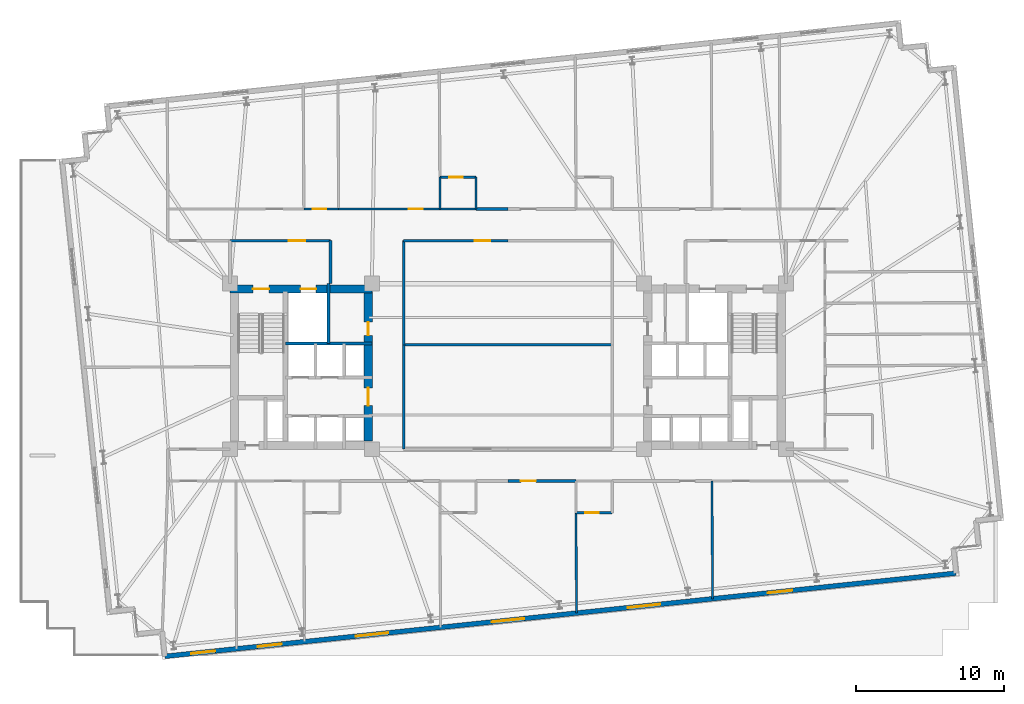
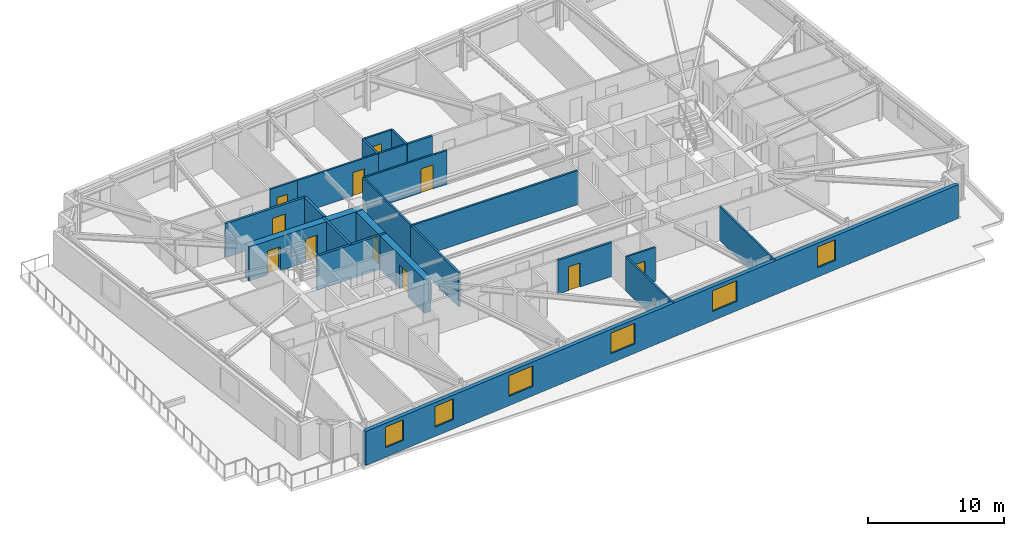
# One storey, part 13 of 20: 22 walls, 11 doors, 6 windows, 17 openings.
"""IFC4 building model written with IfcOpenShell, lengths in metres."""

import ifcopenshell
import ifcopenshell.guid

model = None  # the IFC model being written
_history = None  # IfcOwnerHistory: only IFC2X3 demands one
_inside = {}  # id of a spatial element -> (the spatial element, [elements in it])
_under = {}  # id of a project, library or spatial element -> (it, [spatial elements below it])
_declared = {}  # id of a project -> (the project, [libraries it declares])
_typed = {}  # id of a type object -> (the type object, [elements of that type])
_made_of = {}  # id of a material, layer set ... -> (it, [elements and type objects made of it])


def new_model(schema):
    """Start an empty IFC model of exactly this schema.

    Asked for "IFC4X3", IfcOpenShell would pick the latest addendum, in which some entities
    have other attributes; the version numbers below select the first issue.
    IFC2X3 requires an IfcOwnerHistory on every rooted entity: one is made here for all.
    """
    global model, _history
    if schema == "IFC4X3":
        model = ifcopenshell.file(schema_version=(4, 3, 0, 0))
    else:
        model = ifcopenshell.file(schema=schema)
    _inside.clear()
    _under.clear()
    _declared.clear()
    _typed.clear()
    _made_of.clear()
    _history = None
    if model.schema == "IFC2X3":
        org = make("IfcOrganization", Name="unknown")
        user = make(
            "IfcPersonAndOrganization",
            ThePerson=make("IfcPerson", FamilyName="unknown"),
            TheOrganization=org,
        )
        app = make(
            "IfcApplication",
            ApplicationDeveloper=org,
            Version="unknown",
            ApplicationFullName="unknown",
            ApplicationIdentifier="unknown",
        )
        _history = make(
            "IfcOwnerHistory",
            OwningUser=user,
            OwningApplication=app,
            ChangeAction="ADDED",
            CreationDate=0,
        )
    return model


def make(cls, **values):
    """One entity of the class cls with the attributes given. An attribute that is None is left unset."""
    return model.create_entity(
        cls, **{name: value for name, value in values.items() if value is not None}
    )


def rooted(cls, **values):
    """An entity with a GlobalId (a new one), such as an element, a storey or a relation."""
    return make(cls, GlobalId=ifcopenshell.guid.new(), OwnerHistory=_history, **values)


def si_unit(unit_type, name, prefix=None):
    """IfcSIUnit, for example si_unit("LENGTHUNIT", "METRE", prefix="MILLI")."""
    return make("IfcSIUnit", UnitType=unit_type, Prefix=prefix, Name=name)


def assignment(units):
    """IfcUnitAssignment: the units of a project."""
    return None if units is None else make("IfcUnitAssignment", Units=units)


def point(xyz):
    """IfcCartesianPoint."""
    return None if xyz is None else make("IfcCartesianPoint", Coordinates=xyz)


def direction(xyz):
    """IfcDirection."""
    return None if xyz is None else make("IfcDirection", DirectionRatios=xyz)


def frame(location, z_axis=None, x_axis=None):
    """IfcAxis2Placement3D, a coordinate frame: its origin and axes. An axis left out is left unset."""
    return make(
        "IfcAxis2Placement3D",
        Location=point(location),
        Axis=direction(z_axis),
        RefDirection=direction(x_axis),
    )


def frame_2d(location, x_axis=None):
    """IfcAxis2Placement2D, a coordinate frame in the plane: its origin and x axis."""
    return make(
        "IfcAxis2Placement2D", Location=point(location), RefDirection=direction(x_axis)
    )


def origin():
    """The frame at (0, 0, 0) with its axes left unset."""
    return frame((0.0, 0.0, 0.0))


def place(relative_to, where):
    """IfcLocalPlacement: puts the frame where relative to a parent placement (None: the world)."""
    return make(
        "IfcLocalPlacement", PlacementRelTo=relative_to, RelativePlacement=where
    )


def context(
    kind, dimensions, precision=None, world=None, true_north=None, identifier=None
):
    """IfcGeometricRepresentationContext, for example the 3D "Model" context."""
    return make(
        "IfcGeometricRepresentationContext",
        ContextIdentifier=identifier,
        ContextType=kind,
        CoordinateSpaceDimension=dimensions,
        Precision=precision,
        WorldCoordinateSystem=world,
        TrueNorth=true_north,
    )


def subcontext(parent, identifier, kind, view, scale=None):
    """IfcGeometricRepresentationSubContext, for example "Body" below "Model"."""
    return make(
        "IfcGeometricRepresentationSubContext",
        ContextIdentifier=identifier,
        ContextType=kind,
        ParentContext=parent,
        TargetScale=scale,
        TargetView=view,
    )


def project(units=None, contexts=None):
    """IfcProject with its units and contexts."""
    return rooted(
        "IfcProject",
        Name="project",
        RepresentationContexts=contexts,
        UnitsInContext=assignment(units),
    )


def spatial(cls, under=None, at=None, **own):
    """A site, building, storey or space (cls), placed at a placement, below another one or the project."""
    s = rooted(cls, ObjectPlacement=at, **own)
    if under is not None:
        _under.setdefault(under.id(), (under, []))[1].append(s)
    return s


def profile(cls, at=None, kind="AREA", **sizes):
    """A parametric profile (cls). Its sizes go by their IFC names, for example OverallWidth=200.0."""
    return make(cls, ProfileType=kind, Position=at, **sizes)


def rectangle(**sizes):
    """IfcRectangleProfileDef."""
    return profile("IfcRectangleProfileDef", **sizes)


def extrude(swept, where, along, depth):
    """IfcExtrudedAreaSolid: the profile swept, set in the frame where, extruded along a direction by depth."""
    return make(
        "IfcExtrudedAreaSolid",
        SweptArea=swept,
        Position=where,
        ExtrudedDirection=direction(along),
        Depth=depth,
    )


def shape(context_of_items, identifier, shape_type, items):
    """IfcShapeRepresentation: the items that make up one representation, for example the "Body"."""
    return make(
        "IfcShapeRepresentation",
        ContextOfItems=context_of_items,
        RepresentationIdentifier=identifier,
        RepresentationType=shape_type,
        Items=items,
    )


def material(Name=None, Category=None):
    """IfcMaterial."""
    return make("IfcMaterial", Name=Name, Category=Category)


def layer(
    of_material, thickness, ventilated=None, Name=None, Category=None, Priority=None
):
    """IfcMaterialLayer: one layer of a wall or slab, of a material (None: an air gap)."""
    return make(
        "IfcMaterialLayer",
        Material=of_material,
        LayerThickness=thickness,
        IsVentilated=ventilated,
        Name=Name,
        Category=Category,
        Priority=Priority,
    )


def layer_set(layers, Name=None):
    """IfcMaterialLayerSet."""
    return make("IfcMaterialLayerSet", MaterialLayers=layers, LayerSetName=Name)


def made_of(thing, what):
    """Note that an element or type object is made of a material, layer set ...; save() writes the relation."""
    if what is not None:
        _made_of.setdefault(what.id(), (what, []))[1].append(thing)
    return thing


def type_object(cls, material=None, **own):
    """A type object (cls), such as IfcWallType, which elements share."""
    return made_of(rooted(cls, **own), material)


def element(
    cls,
    number,
    at=None,
    inside=None,
    cuts=None,
    type_object=None,
    material=None,
    context=None,
    identifier="Body",
    shape_type=None,
    held_by="IfcProductDefinitionShape",
    body=None,
    shapes=None,
    **own,
):
    """One element of the class cls, such as IfcWall. Its Tag is "e" and its number.

    at: its placement. inside: the storey or other place that contains it. cuts: it is an
    opening in that element (IfcRelVoidsElement). A single representation is given by context,
    identifier, shape_type and body (its items); several are given by shapes. held_by: the class
    of the entity that holds the representations. save() writes the other relations.
    """
    e = rooted(cls, Tag="e%d" % number, ObjectPlacement=at, **own)
    if body is not None:
        shapes = [shape(context, identifier, shape_type, body)]
    if shapes is not None:
        e.Representation = make(held_by, Representations=shapes)
    if inside is not None:
        _inside.setdefault(inside.id(), (inside, []))[1].append(e)
    if cuts is not None:
        rooted(
            "IfcRelVoidsElement", RelatingBuildingElement=cuts, RelatedOpeningElement=e
        )
    if type_object is not None:
        _typed.setdefault(type_object.id(), (type_object, []))[1].append(e)
    return made_of(e, material)


def fill(opening, filler):
    """IfcRelFillsElement: the door or window that sits in an opening."""
    return rooted(
        "IfcRelFillsElement",
        RelatingOpeningElement=opening,
        RelatedBuildingElement=filler,
    )


def aggregate(whole, parts):
    """IfcRelAggregates: a whole, such as a stair, and the parts it consists of."""
    return rooted("IfcRelAggregates", RelatingObject=whole, RelatedObjects=parts)


def save(model, path):
    """Write the relations noted so far, then the file.

    IfcRelAggregates (storeys below a building ...), IfcRelContainedInSpatialStructure (elements
    in a storey), IfcRelDefinesByType, IfcRelAssociatesMaterial and IfcRelDeclares: one each for
    every whole, place, type object, material and project.
    """
    for whole, parts in _under.values():
        aggregate(whole, parts)
    for where, things in _inside.values():
        rooted(
            "IfcRelContainedInSpatialStructure",
            RelatedElements=things,
            RelatingStructure=where,
        )
    for kind, things in _typed.values():
        rooted("IfcRelDefinesByType", RelatedObjects=things, RelatingType=kind)
    for what, things in _made_of.values():
        rooted("IfcRelAssociatesMaterial", RelatedObjects=things, RelatingMaterial=what)
    for by, libraries in _declared.values():
        rooted("IfcRelDeclares", RelatingContext=by, RelatedDefinitions=libraries)
    model.write(path)


model = new_model("IFC4")

# Units and contexts
model_context = context("Model", 3, precision=1e-05, world=origin(), true_north=direction((0.0, 1.0)))
body_context = subcontext(model_context, "Body", "Model", "MODEL_VIEW")
ifc_project = project(units=[si_unit("LENGTHUNIT", "METRE"), si_unit("AREAUNIT", "SQUARE_METRE"), si_unit("VOLUMEUNIT", "CUBIC_METRE"), si_unit("PLANEANGLEUNIT", "RADIAN"), si_unit("MASSUNIT", "GRAM", prefix="KILO")], contexts=[model_context])

# Site, building, storey
site_placement = place(None, origin())
site = spatial("IfcSite", under=ifc_project, at=site_placement, CompositionType="ELEMENT")
building_placement = place(site_placement, origin())
building = spatial("IfcBuilding", under=site, at=building_placement, Name="Qobustan Lattice House", CompositionType="ELEMENT")
storey_placement = place(building_placement, frame((0.0, 0.0, 79.0)))
storey = spatial("IfcBuildingStorey", under=building, at=storey_placement, Name="L21", CompositionType="ELEMENT", Elevation=79.0)

# Wall, openings, doors
ifc_material_1 = material(Name="Concrete C60/75", Category="concrete")
ifc_layer_1 = layer(ifc_material_1, 0.56005859375)
ifc_layer_set_1 = layer_set([ifc_layer_1], Name="Concrete C60/75")
wall_type_1 = type_object("IfcWallType", Name="WAL-CORE-600", PredefinedType="SHEAR", material=ifc_layer_set_1)
wall_1_placement = place(storey_placement, frame((-18.800048828125, 5.239990234375, 0.0), z_axis=(0.0, 0.0, 1.0), x_axis=(1.0, 0.0, 0.0)))
wall_1 = element("IfcWall", 1, at=wall_1_placement, inside=storey, type_object=wall_type_1, Name="L21 split-core shear wall CW-N", PredefinedType="SHEAR", context=body_context, shape_type="SweptSolid", body=[
    extrude(rectangle(XDim=9.60009765625, YDim=0.56005859375, at=frame_2d((4.800048828125, 0.0))), origin(), (0.0, 0.0, 1.0), 3.044921875),
])
opening_1_placement = place(wall_1_placement, frame((1.550048828125, 0.0, 0.0)))
opening_1 = element("IfcOpeningElement", 2, at=opening_1_placement, cuts=wall_1, Name="Opening SD-01", PredefinedType="OPENING", context=body_context, shape_type="SweptSolid", body=[
    extrude(rectangle(XDim=1.10009765625, YDim=2.14990234375, at=frame_2d((0.550048828125, 1.074951171875))), frame((0.0, 0.2900390625, 0.0), z_axis=(0.0, -1.0, 0.0), x_axis=(1.0, 0.0, 0.0)), (0.0, 0.0, 1.0), 0.580078125),
])
opening_2_placement = place(wall_1_placement, frame((4.77490234375, 0.0, 0.0)))
opening_2 = element("IfcOpeningElement", 3, at=opening_2_placement, cuts=wall_1, Name="Opening LD-01", PredefinedType="OPENING", context=body_context, shape_type="SweptSolid", body=[
    extrude(rectangle(XDim=1.050048828125, YDim=2.10009765625, at=frame_2d((0.52490234375, 1.050048828125))), frame((0.0, 0.2900390625, 0.0), z_axis=(0.0, -1.0, 0.0), x_axis=(1.0, 0.0, 0.0)), (0.0, 0.0, 1.0), 0.580078125),
])
ifc_material_2 = material(Name="Persian walnut timber and steel frame door", Category="steel")
door_type_1 = type_object("IfcDoorType", Name="DOR-LIFT-LD-1050x2100", OperationType="NOTDEFINED", PredefinedType="DOOR", material=ifc_material_2)
door_1_placement = place(opening_2_placement, origin())
door_1 = element("IfcDoor", 4, at=door_1_placement, inside=storey, type_object=door_type_1, Name="L21 firefighting lift FF-W landing door", OperationType="DOUBLE_DOOR_SLIDING", OverallHeight=2.10009765625, OverallWidth=1.050048828125, PredefinedType="DOOR", context=body_context, shape_type="SweptSolid", body=[
    extrude(rectangle(XDim=1.050048828125, YDim=2.10009765625, at=frame_2d((0.52490234375, 1.050048828125))), frame((0.0, 0.02490234375, 0.0), z_axis=(0.0, -1.0, 0.0), x_axis=(1.0, 0.0, 0.0)), (0.0, 0.0, 1.0), 0.050048828125),
])
fill(opening_2, door_1)
ifc_material_3 = material(Name="Persian walnut timber and steel frame door", Category="steel")
door_type_2 = type_object("IfcDoorType", Name="DOR-STAIR-FD-1100x2150", OperationType="NOTDEFINED", PredefinedType="DOOR", material=ifc_material_3)
door_2_placement = place(opening_1_placement, origin())
door_2 = element("IfcDoor", 5, at=door_2_placement, inside=storey, type_object=door_type_2, Name="L21 exit stair ST-W1 fire door", OperationType="SINGLE_SWING_LEFT", OverallHeight=2.14990234375, OverallWidth=1.10009765625, PredefinedType="DOOR", context=body_context, shape_type="SweptSolid", body=[
    extrude(rectangle(XDim=1.10009765625, YDim=2.14990234375, at=frame_2d((0.550048828125, 1.074951171875))), frame((0.0, 0.02490234375, 0.0), z_axis=(0.0, -1.0, 0.0), x_axis=(1.0, 0.0, 0.0)), (0.0, 0.0, 1.0), 0.050048828125),
])
fill(opening_1, door_2)

wall_2_placement = place(storey_placement, frame((-9.449951171875, -5.050048828125, 0.0), z_axis=(0.0, 0.0, 1.0), x_axis=(0.0, 1.0, 0.0)))
wall_2 = element("IfcWall", 6, at=wall_2_placement, inside=storey, type_object=wall_type_1, Name="L21 split-core shear wall CW-E", PredefinedType="SHEAR", context=body_context, shape_type="SweptSolid", body=[
    extrude(rectangle(XDim=10.10009765625, YDim=0.56005859375, at=frame_2d((5.050048828125, 0.0))), origin(), (0.0, 0.0, 1.0), 3.044921875),
])
opening_3_placement = place(wall_2_placement, frame((7.14990234375, 0.0, 0.0)))
opening_3 = element("IfcOpeningElement", 7, at=opening_3_placement, cuts=wall_2, Name="Opening RD-01", PredefinedType="OPENING", context=body_context, shape_type="SweptSolid", body=[
    extrude(rectangle(XDim=0.89990234375, YDim=2.10009765625, at=frame_2d((0.449951171875, 1.050048828125))), frame((0.0, 0.2900390625, 0.0), z_axis=(0.0, -1.0, 0.0), x_axis=(1.0, 0.0, 0.0)), (0.0, 0.0, 1.0), 0.580078125),
])
opening_4_placement = place(wall_2_placement, frame((2.39990234375, 0.0, 0.0)))
opening_4 = element("IfcOpeningElement", 8, at=opening_4_placement, cuts=wall_2, Name="Opening FD-01", PredefinedType="OPENING", context=body_context, shape_type="SweptSolid", body=[
    extrude(rectangle(XDim=1.199951171875, YDim=2.14990234375, at=frame_2d((0.60009765625, 1.074951171875))), frame((0.0, 0.2900390625, 0.0), z_axis=(0.0, -1.0, 0.0), x_axis=(1.0, 0.0, 0.0)), (0.0, 0.0, 1.0), 0.580078125),
])
ifc_material_4 = material(Name="Persian walnut timber and steel frame door", Category="steel")
door_type_3 = type_object("IfcDoorType", Name="DOR-LOBBY-FD-1200x2150", OperationType="NOTDEFINED", PredefinedType="DOOR", material=ifc_material_4)
door_3_placement = place(opening_4_placement, origin())
door_3 = element("IfcDoor", 9, at=door_3_placement, inside=storey, type_object=door_type_3, Name="L21 West passenger lift lobby fire door", OperationType="SINGLE_SWING_LEFT", OverallHeight=2.14990234375, OverallWidth=1.199951171875, PredefinedType="DOOR", context=body_context, shape_type="SweptSolid", body=[
    extrude(rectangle(XDim=1.199951171875, YDim=2.14990234375, at=frame_2d((0.60009765625, 1.074951171875))), frame((0.0, 0.02490234375, 0.0), z_axis=(0.0, -1.0, 0.0), x_axis=(1.0, 0.0, 0.0)), (0.0, 0.0, 1.0), 0.050048828125),
])
fill(opening_4, door_3)
ifc_material_5 = material(Name="Persian walnut timber and steel frame door", Category="steel")
door_type_4 = type_object("IfcDoorType", Name="DOR-RISER-FD-900x2100", OperationType="NOTDEFINED", PredefinedType="DOOR", material=ifc_material_5)
door_4_placement = place(opening_3_placement, origin())
door_4 = element("IfcDoor", 10, at=door_4_placement, inside=storey, type_object=door_type_4, Name="L21 Floor tea pantry fire door", OperationType="SINGLE_SWING_RIGHT", OverallHeight=2.10009765625, OverallWidth=0.89990234375, PredefinedType="DOOR", context=body_context, shape_type="SweptSolid", body=[
    extrude(rectangle(XDim=0.89990234375, YDim=2.10009765625, at=frame_2d((0.449951171875, 1.050048828125))), frame((0.0, 0.02490234375, 0.0), z_axis=(0.0, -1.0, 0.0), x_axis=(1.0, 0.0, 0.0)), (0.0, 0.0, 1.0), 0.050048828125),
])
fill(opening_3, door_4)

# Wall, openings, windows
ifc_material_6 = material(Name="Precast concrete C40/50", Category="concrete")
ifc_layer_2 = layer(ifc_material_6, 0.320068359375)
ifc_layer_set_2 = layer_set([ifc_layer_2], Name="Precast concrete C40/50")
wall_type_2 = type_object("IfcWallType", Name="WAL-EXT-STONE-320", PredefinedType="SOLIDWALL", material=ifc_layer_set_2)
wall_3_placement = place(storey_placement, frame((30.307373046875, -13.985595703125, 0.0), z_axis=(0.0, 0.0, 1.0), x_axis=(-0.994521628355, -0.104531003701, 0.0)))
wall_3 = element("IfcWall", 11, at=wall_3_placement, inside=storey, type_object=wall_type_2, Name="L21 exterior limestone-clad wall 20", PredefinedType="SOLIDWALL", context=body_context, shape_type="SweptSolid", body=[
    extrude(rectangle(XDim=53.800048828125, YDim=0.320068359375, at=frame_2d((26.89990234375, 0.0))), origin(), (0.0, 0.0, 1.0), 3.044921875),
])
opening_5_placement = place(wall_3_placement, frame((11.143798828125, 0.0, 0.85009765625)))
opening_5 = element("IfcOpeningElement", 12, at=opening_5_placement, cuts=wall_3, Name="Opening WN-09", PredefinedType="OPENING", context=body_context, shape_type="SweptSolid", body=[
    extrude(rectangle(XDim=1.64990234375, YDim=1.85009765625, at=frame_2d((0.824951171875, 0.925048828125))), frame((0.0, 0.169921875, 0.0), z_axis=(0.0, -1.0, 0.0), x_axis=(1.0, 0.0, 0.0)), (0.0, 0.0, 1.0), 0.340087890625),
])
opening_6_placement = place(wall_3_placement, frame((20.11572265625, 0.0, 0.85009765625)))
opening_6 = element("IfcOpeningElement", 13, at=opening_6_placement, cuts=wall_3, Name="Opening WN-03", PredefinedType="OPENING", context=body_context, shape_type="SweptSolid", body=[
    extrude(rectangle(XDim=2.199951171875, YDim=1.85009765625, at=frame_2d((1.10009765625, 0.925048828125))), frame((0.0, 0.169921875, 0.0), z_axis=(0.0, -1.0, 0.0), x_axis=(1.0, 0.0, 0.0)), (0.0, 0.0, 1.0), 0.340087890625),
])
opening_7_placement = place(wall_3_placement, frame((29.36279296875, 0.0, 0.85009765625)))
opening_7 = element("IfcOpeningElement", 14, at=opening_7_placement, cuts=wall_3, Name="Opening WN-03", PredefinedType="OPENING", context=body_context, shape_type="SweptSolid", body=[
    extrude(rectangle(XDim=2.199951171875, YDim=1.85009765625, at=frame_2d((1.10009765625, 0.925048828125))), frame((0.0, 0.169921875, 0.0), z_axis=(0.0, -1.0, 0.0), x_axis=(1.0, 0.0, 0.0)), (0.0, 0.0, 1.0), 0.340087890625),
])
opening_8_placement = place(wall_3_placement, frame((38.609619140625, 0.0, 0.85009765625)))
opening_8 = element("IfcOpeningElement", 15, at=opening_8_placement, cuts=wall_3, Name="Opening WN-03", PredefinedType="OPENING", context=body_context, shape_type="SweptSolid", body=[
    extrude(rectangle(XDim=2.199951171875, YDim=1.85009765625, at=frame_2d((1.10009765625, 0.925048828125))), frame((0.0, 0.169921875, 0.0), z_axis=(0.0, -1.0, 0.0), x_axis=(1.0, 0.0, 0.0)), (0.0, 0.0, 1.0), 0.340087890625),
])
opening_9_placement = place(wall_3_placement, frame((45.849609375, 0.0, 0.85009765625)))
opening_9 = element("IfcOpeningElement", 16, at=opening_9_placement, cuts=wall_3, Name="Opening WN-09", PredefinedType="OPENING", context=body_context, shape_type="SweptSolid", body=[
    extrude(rectangle(XDim=1.64990234375, YDim=1.85009765625, at=frame_2d((0.824951171875, 0.925048828125))), frame((0.0, 0.169921875, 0.0), z_axis=(0.0, -1.0, 0.0), x_axis=(1.0, 0.0, 0.0)), (0.0, 0.0, 1.0), 0.340087890625),
])
opening_10_placement = place(wall_3_placement, frame((50.373046875, 0.0, 0.85009765625)))
opening_10 = element("IfcOpeningElement", 17, at=opening_10_placement, cuts=wall_3, Name="Opening WN-09", PredefinedType="OPENING", context=body_context, shape_type="SweptSolid", body=[
    extrude(rectangle(XDim=1.64990234375, YDim=1.85009765625, at=frame_2d((0.824951171875, 0.925048828125))), frame((0.0, 0.169921875, 0.0), z_axis=(0.0, -1.0, 0.0), x_axis=(1.0, 0.0, 0.0)), (0.0, 0.0, 1.0), 0.340087890625),
])
ifc_material_7 = material(Name="Double-glazed low-E aluminium window", Category="aluminium")
window_type_1 = type_object("IfcWindowType", Name="WIN-STU-1650x1850", PartitioningType="SINGLE_PANEL", PredefinedType="WINDOW", material=ifc_material_7)
window_1_placement = place(opening_5_placement, origin())
window_1 = element("IfcWindow", 18, at=window_1_placement, inside=storey, type_object=window_type_1, Name="L21 Group study room window", OverallHeight=1.85009765625, OverallWidth=1.64990234375, PartitioningType="SINGLE_PANEL", PredefinedType="WINDOW", context=body_context, shape_type="SweptSolid", body=[
    extrude(rectangle(XDim=1.64990234375, YDim=1.85009765625, at=frame_2d((0.824951171875, 0.925048828125))), frame((0.0, 0.030029296875, 0.0), z_axis=(0.0, -1.0, 0.0), x_axis=(1.0, 0.0, 0.0)), (0.0, 0.0, 1.0), 0.06005859375),
])
fill(opening_5, window_1)
window_2_placement = place(opening_9_placement, origin())
window_2 = element("IfcWindow", 19, at=window_2_placement, inside=storey, type_object=window_type_1, Name="L21 Focus study room S1B window", OverallHeight=1.85009765625, OverallWidth=1.64990234375, PartitioningType="SINGLE_PANEL", PredefinedType="WINDOW", context=body_context, shape_type="SweptSolid", body=[
    extrude(rectangle(XDim=1.64990234375, YDim=1.85009765625, at=frame_2d((0.824951171875, 0.925048828125))), frame((0.0, 0.030029296875, 0.0), z_axis=(0.0, -1.0, 0.0), x_axis=(1.0, 0.0, 0.0)), (0.0, 0.0, 1.0), 0.06005859375),
])
fill(opening_9, window_2)
window_3_placement = place(opening_10_placement, origin())
window_3 = element("IfcWindow", 20, at=window_3_placement, inside=storey, type_object=window_type_1, Name="L21 Focus study room S1A window", OverallHeight=1.85009765625, OverallWidth=1.64990234375, PartitioningType="SINGLE_PANEL", PredefinedType="WINDOW", context=body_context, shape_type="SweptSolid", body=[
    extrude(rectangle(XDim=1.64990234375, YDim=1.85009765625, at=frame_2d((0.824951171875, 0.925048828125))), frame((0.0, 0.030029296875, 0.0), z_axis=(0.0, -1.0, 0.0), x_axis=(1.0, 0.0, 0.0)), (0.0, 0.0, 1.0), 0.06005859375),
])
fill(opening_10, window_3)
ifc_material_8 = material(Name="Double-glazed low-E aluminium window", Category="aluminium")
window_type_2 = type_object("IfcWindowType", Name="WIN-WIDE-2200x1850", PartitioningType="SINGLE_PANEL", PredefinedType="WINDOW", material=ifc_material_8)
window_4_placement = place(opening_6_placement, origin())
window_4 = element("IfcWindow", 21, at=window_4_placement, inside=storey, type_object=window_type_2, Name="L21 Kitchenette and studio apartment L21-S4 window", OverallHeight=1.85009765625, OverallWidth=2.199951171875, PartitioningType="SINGLE_PANEL", PredefinedType="WINDOW", context=body_context, shape_type="SweptSolid", body=[
    extrude(rectangle(XDim=2.199951171875, YDim=1.85009765625, at=frame_2d((1.10009765625, 0.925048828125))), frame((0.0, 0.030029296875, 0.0), z_axis=(0.0, -1.0, 0.0), x_axis=(1.0, 0.0, 0.0)), (0.0, 0.0, 1.0), 0.06005859375),
])
fill(opening_6, window_4)
window_5_placement = place(opening_7_placement, origin())
window_5 = element("IfcWindow", 22, at=window_5_placement, inside=storey, type_object=window_type_2, Name="L21 Kitchenette and studio apartment L21-S3 window", OverallHeight=1.85009765625, OverallWidth=2.199951171875, PartitioningType="SINGLE_PANEL", PredefinedType="WINDOW", context=body_context, shape_type="SweptSolid", body=[
    extrude(rectangle(XDim=2.199951171875, YDim=1.85009765625, at=frame_2d((1.10009765625, 0.925048828125))), frame((0.0, 0.030029296875, 0.0), z_axis=(0.0, -1.0, 0.0), x_axis=(1.0, 0.0, 0.0)), (0.0, 0.0, 1.0), 0.06005859375),
])
fill(opening_7, window_5)
window_6_placement = place(opening_8_placement, origin())
window_6 = element("IfcWindow", 23, at=window_6_placement, inside=storey, type_object=window_type_2, Name="L21 Kitchenette and studio apartment L21-S2 window", OverallHeight=1.85009765625, OverallWidth=2.199951171875, PartitioningType="SINGLE_PANEL", PredefinedType="WINDOW", context=body_context, shape_type="SweptSolid", body=[
    extrude(rectangle(XDim=2.199951171875, YDim=1.85009765625, at=frame_2d((1.10009765625, 0.925048828125))), frame((0.0, 0.030029296875, 0.0), z_axis=(0.0, -1.0, 0.0), x_axis=(1.0, 0.0, 0.0)), (0.0, 0.0, 1.0), 0.06005859375),
])
fill(opening_8, window_6)

# Wall
ifc_material_9 = material(Name="Gypsum fireboard acoustic partition", Category="gypsum")
ifc_layer_3 = layer(ifc_material_9, 0.179931640625)
ifc_layer_set_3 = layer_set([ifc_layer_3], Name="Gypsum fireboard acoustic partition")
wall_type_3 = type_object("IfcWallType", Name="WAL-FIRE-180", PredefinedType="PARTITIONING", material=ifc_layer_set_3)
wall_4_placement = place(storey_placement, frame((-2.14990234375, 10.64990234375, 0.0), z_axis=(0.0, 0.0, 1.0), x_axis=(1.0, 0.0, 0.0)))
element("IfcWall", 24, at=wall_4_placement, inside=storey, type_object=wall_type_3, Name="L21 interior partition 41", PredefinedType="PARTITIONING", context=body_context, shape_type="SweptSolid", body=[
    extrude(rectangle(XDim=2.14990234375, YDim=0.179931640625, at=frame_2d((1.074951171875, 0.0))), origin(), (0.0, 0.0, 1.0), 3.044921875),
])

# Wall, opening, door
wall_5_placement = place(storey_placement, frame((4.60009765625, -7.75, 0.0), z_axis=(0.0, 0.0, 1.0), x_axis=(-1.0, 0.0, 0.0)))
wall_5 = element("IfcWall", 25, at=wall_5_placement, inside=storey, type_object=wall_type_3, Name="L21 interior partition 63", PredefinedType="PARTITIONING", context=body_context, shape_type="SweptSolid", body=[
    extrude(rectangle(XDim=4.60009765625, YDim=0.179931640625, at=frame_2d((2.300048828125, 0.0))), origin(), (0.0, 0.0, 1.0), 3.044921875),
])
opening_11_placement = place(wall_5_placement, frame((2.715087890625, 0.0, 0.0)))
opening_11 = element("IfcOpeningElement", 26, at=opening_11_placement, cuts=wall_5, Name="Opening FD-02", PredefinedType="OPENING", context=body_context, shape_type="SweptSolid", body=[
    extrude(rectangle(XDim=1.0, YDim=2.14990234375, at=frame_2d((0.5, 1.074951171875))), frame((0.0, 0.099853515625, 0.0), z_axis=(0.0, -1.0, 0.0), x_axis=(1.0, 0.0, 0.0)), (0.0, 0.0, 1.0), 0.199951171875),
])
ifc_material_10 = material(Name="Persian walnut timber and steel frame door", Category="steel")
door_type_5 = type_object("IfcDoorType", Name="DOR-UNIT-FD-1000x2150", OperationType="NOTDEFINED", PredefinedType="DOOR", material=ifc_material_10)
door_5_placement = place(opening_11_placement, origin())
door_5 = element("IfcDoor", 27, at=door_5_placement, inside=storey, type_object=door_type_5, Name="L21 South-east floor corridor to Kitchenette and studio apartment L21-S3 door", OperationType="SINGLE_SWING_LEFT", OverallHeight=2.14990234375, OverallWidth=1.0, PredefinedType="DOOR", context=body_context, shape_type="SweptSolid", body=[
    extrude(rectangle(XDim=1.0, YDim=2.14990234375, at=frame_2d((0.5, 1.074951171875))), frame((0.0, 0.02490234375, 0.0), z_axis=(0.0, -1.0, 0.0), x_axis=(1.0, 0.0, 0.0)), (0.0, 0.0, 1.0), 0.050048828125),
])
fill(opening_11, door_5)

ifc_material_11 = material(Name="Acoustic twin-stud gypsum partition", Category="gypsum")
ifc_layer_4 = layer(ifc_material_11, 0.14990234375)
ifc_layer_set_4 = layer_set([ifc_layer_4], Name="Acoustic twin-stud gypsum partition")
wall_type_4 = type_object("IfcWallType", Name="WAL-PART-150", PredefinedType="PARTITIONING", material=ifc_layer_set_4)
wall_6_placement = place(storey_placement, frame((-11.449951171875, 10.64990234375, 0.0), z_axis=(0.0, 0.0, 1.0), x_axis=(1.0, 0.0, 0.0)))
wall_6 = element("IfcWall", 28, at=wall_6_placement, inside=storey, type_object=wall_type_4, Name="L21 interior partition 40", PredefinedType="PARTITIONING", context=body_context, shape_type="SweptSolid", body=[
    extrude(rectangle(XDim=6.849853515625, YDim=0.14990234375, at=frame_2d((3.4248046875, 0.0))), origin(), (0.0, 0.0, 1.0), 3.044921875),
])
opening_12_placement = place(wall_6_placement, frame((4.7275390625, 0.0, 0.0)))
opening_12 = element("IfcOpeningElement", 29, at=opening_12_placement, cuts=wall_6, Name="Opening ID-01", PredefinedType="OPENING", context=body_context, shape_type="SweptSolid", body=[
    extrude(rectangle(XDim=0.949951171875, YDim=2.10009765625, at=frame_2d((0.47509765625, 1.050048828125))), frame((0.0, 0.0849609375, 0.0), z_axis=(0.0, -1.0, 0.0), x_axis=(1.0, 0.0, 0.0)), (0.0, 0.0, 1.0), 0.169921875),
])
ifc_material_12 = material(Name="Persian walnut timber and steel frame door", Category="steel")
door_type_6 = type_object("IfcDoorType", Name="DOR-ROOM-950x2100", OperationType="NOTDEFINED", PredefinedType="DOOR", material=ifc_material_12)
door_6_placement = place(opening_12_placement, origin())
door_6 = element("IfcDoor", 30, at=door_6_placement, inside=storey, type_object=door_type_6, Name="L21 North-west floor corridor to Laundry utility room door", OperationType="SINGLE_SWING_LEFT", OverallHeight=2.10009765625, OverallWidth=0.949951171875, PredefinedType="DOOR", context=body_context, shape_type="SweptSolid", body=[
    extrude(rectangle(XDim=0.949951171875, YDim=2.10009765625, at=frame_2d((0.47509765625, 1.050048828125))), frame((0.0, 0.02490234375, 0.0), z_axis=(0.0, -1.0, 0.0), x_axis=(1.0, 0.0, 0.0)), (0.0, 0.0, 1.0), 0.050048828125),
])
fill(opening_12, door_6)

wall_7_placement = place(storey_placement, frame((0.0, 8.5, 0.0), z_axis=(0.0, 0.0, 1.0), x_axis=(-1.0, 0.0, 0.0)))
wall_7 = element("IfcWall", 31, at=wall_7_placement, inside=storey, type_object=wall_type_4, Name="L21 interior partition 43", PredefinedType="PARTITIONING", context=body_context, shape_type="SweptSolid", body=[
    extrude(rectangle(XDim=7.050048828125, YDim=0.14990234375, at=frame_2d((3.52490234375, 0.0))), origin(), (0.0, 0.0, 1.0), 3.044921875),
])
opening_13_placement = place(wall_7_placement, frame((1.18505859375, 0.0, 0.0)))
opening_13 = element("IfcOpeningElement", 32, at=opening_13_placement, cuts=wall_7, Name="Opening ID-02", PredefinedType="OPENING", context=body_context, shape_type="SweptSolid", body=[
    extrude(rectangle(XDim=1.050048828125, YDim=2.14990234375, at=frame_2d((0.52490234375, 1.074951171875))), frame((0.0, 0.0849609375, 0.0), z_axis=(0.0, -1.0, 0.0), x_axis=(1.0, 0.0, 0.0)), (0.0, 0.0, 1.0), 0.169921875),
])
ifc_material_13 = material(Name="Persian walnut timber and steel frame door", Category="steel")
door_type_7 = type_object("IfcDoorType", Name="DOR-STUDY-1050x2150", OperationType="NOTDEFINED", PredefinedType="DOOR", material=ifc_material_13)
door_7_placement = place(opening_13_placement, origin())
door_7 = element("IfcDoor", 33, at=door_7_placement, inside=storey, type_object=door_type_7, Name="L21 North-west floor corridor to Central collaborative study room door", OperationType="SINGLE_SWING_RIGHT", OverallHeight=2.14990234375, OverallWidth=1.050048828125, PredefinedType="DOOR", context=body_context, shape_type="SweptSolid", body=[
    extrude(rectangle(XDim=1.050048828125, YDim=2.14990234375, at=frame_2d((0.52490234375, 1.074951171875))), frame((0.0, 0.02490234375, 0.0), z_axis=(0.0, -1.0, 0.0), x_axis=(1.0, 0.0, 0.0)), (0.0, 0.0, 1.0), 0.050048828125),
])
fill(opening_13, door_7)

# Walls
wall_8_placement = place(storey_placement, frame((-7.050048828125, 8.5, 0.0), z_axis=(0.0, 0.0, 1.0), x_axis=(0.0, -1.0, 0.0)))
element("IfcWall", 34, at=wall_8_placement, inside=storey, type_object=wall_type_4, Name="L21 interior partition 69", PredefinedType="PARTITIONING", context=body_context, shape_type="SweptSolid", body=[
    extrude(rectangle(XDim=7.050048828125, YDim=0.14990234375, at=frame_2d((3.52490234375, 0.0))), origin(), (0.0, 0.0, 1.0), 3.044921875),
])
wall_9_placement = place(storey_placement, frame((4.60009765625, -9.89990234375, 0.0), z_axis=(0.0, 0.0, 1.0), x_axis=(0.006442423167, -0.999979247377, 0.0)))
element("IfcWall", 35, at=wall_9_placement, inside=storey, type_object=wall_type_4, Name="L21 interior partition 108", PredefinedType="PARTITIONING", context=body_context, shape_type="SweptSolid", body=[
    extrude(rectangle(XDim=6.783447265625, YDim=0.14990234375, at=frame_2d((3.3916015625, 0.0))), origin(), (0.0, 0.0, 1.0), 3.044921875),
])
wall_10_placement = place(storey_placement, frame((13.800048828125, -7.75, 0.0), z_axis=(0.0, 0.0, 1.0), x_axis=(0.005516481079, -0.999984784102, 0.0)))
element("IfcWall", 36, at=wall_10_placement, inside=storey, type_object=wall_type_4, Name="L21 interior partition 112", PredefinedType="PARTITIONING", context=body_context, shape_type="SweptSolid", body=[
    extrude(rectangle(XDim=7.966064453125, YDim=0.14990234375, at=frame_2d((3.98291015625, 0.0))), origin(), (0.0, 0.0, 1.0), 3.044921875),
])
ifc_material_14 = material(Name="High-mass acoustic twin-stud partition", Category="gypsum")
ifc_layer_5 = layer(ifc_material_14, 0.1650390625)
ifc_layer_set_5 = layer_set([ifc_layer_5], Name="High-mass acoustic twin-stud partition")
wall_type_5 = type_object("IfcWallType", Name="WAL-PART-165", PredefinedType="PARTITIONING", material=ifc_layer_set_5)
wall_11_placement = place(storey_placement, frame((-7.050048828125, 1.449951171875, 0.0), z_axis=(0.0, 0.0, 1.0), x_axis=(0.0, -1.0, 0.0)))
element("IfcWall", 37, at=wall_11_placement, inside=storey, type_object=wall_type_5, Name="L21 interior partition 68", PredefinedType="PARTITIONING", context=body_context, shape_type="SweptSolid", body=[
    extrude(rectangle(XDim=7.050048828125, YDim=0.1650390625, at=frame_2d((3.52490234375, 0.0))), origin(), (0.0, 0.0, 1.0), 3.044921875),
])
wall_12_placement = place(storey_placement, frame((-7.050048828125, 1.449951171875, 0.0), z_axis=(0.0, 0.0, 1.0), x_axis=(1.0, 0.0, 0.0)))
element("IfcWall", 38, at=wall_12_placement, inside=storey, type_object=wall_type_5, Name="L21 interior partition 113", PredefinedType="PARTITIONING", context=body_context, shape_type="SweptSolid", body=[
    extrude(rectangle(XDim=14.10009765625, YDim=0.1650390625, at=frame_2d((7.050048828125, 0.0))), origin(), (0.0, 0.0, 1.0), 3.044921875),
])

# Wall, opening, door
ifc_material_15 = material(Name="Two-hour gypsum fireboard acoustic partition", Category="gypsum")
ifc_layer_6 = layer(ifc_material_15, 0.199951171875)
ifc_layer_set_6 = layer_set([ifc_layer_6], Name="Two-hour gypsum fireboard acoustic partition")
wall_type_6 = type_object("IfcWallType", Name="WAL-PROT-200", PredefinedType="PARTITIONING", material=ifc_layer_set_6)
wall_13_placement = place(storey_placement, frame((-12.0, 8.5, 0.0), z_axis=(0.0, 0.0, 1.0), x_axis=(-1.0, 0.0, 0.0)))
wall_13 = element("IfcWall", 39, at=wall_13_placement, inside=storey, type_object=wall_type_6, Name="L21 interior partition 3", PredefinedType="PARTITIONING", context=body_context, shape_type="SweptSolid", body=[
    extrude(rectangle(XDim=6.800048828125, YDim=0.199951171875, at=frame_2d((3.39990234375, 0.0))), origin(), (0.0, 0.0, 1.0), 3.044921875),
])
opening_14_placement = place(wall_13_placement, frame((1.715087890625, 0.0, 0.0)))
opening_14 = element("IfcOpeningElement", 40, at=opening_14_placement, cuts=wall_13, Name="Opening SD-01", PredefinedType="OPENING", context=body_context, shape_type="SweptSolid", body=[
    extrude(rectangle(XDim=1.10009765625, YDim=2.14990234375, at=frame_2d((0.550048828125, 1.074951171875))), frame((0.0, 0.10986328125, 0.0), z_axis=(0.0, -1.0, 0.0), x_axis=(1.0, 0.0, 0.0)), (0.0, 0.0, 1.0), 0.219970703125),
])
door_8_placement = place(opening_14_placement, origin())
door_8 = element("IfcDoor", 41, at=door_8_placement, inside=storey, type_object=door_type_2, Name="L21 West firefighting lift lobby to North-west floor corridor door", OperationType="SINGLE_SWING_LEFT", OverallHeight=2.14990234375, OverallWidth=1.10009765625, PredefinedType="DOOR", context=body_context, shape_type="SweptSolid", body=[
    extrude(rectangle(XDim=1.10009765625, YDim=2.14990234375, at=frame_2d((0.550048828125, 1.074951171875))), frame((0.0, 0.02490234375, 0.0), z_axis=(0.0, -1.0, 0.0), x_axis=(1.0, 0.0, 0.0)), (0.0, 0.0, 1.0), 0.050048828125),
])
fill(opening_14, door_8)

# Walls
wall_14_placement = place(storey_placement, frame((-12.0, 5.60009765625, 0.0), z_axis=(0.0, 0.0, 1.0), x_axis=(0.0, 1.0, 0.0)))
element("IfcWall", 42, at=wall_14_placement, inside=storey, type_object=wall_type_6, Name="L21 interior partition 4", PredefinedType="PARTITIONING", context=body_context, shape_type="SweptSolid", body=[
    extrude(rectangle(XDim=2.89990234375, YDim=0.199951171875, at=frame_2d((1.449951171875, 0.0))), origin(), (0.0, 0.0, 1.0), 3.044921875),
])
ifc_material_16 = material(Name="Concrete C40/50", Category="concrete")
ifc_layer_7 = layer(ifc_material_16, 0.199951171875)
ifc_layer_set_7 = layer_set([ifc_layer_7], Name="Concrete C40/50")
wall_type_7 = type_object("IfcWallType", Name="WAL-SHAFT-200", PredefinedType="PARTITIONING", material=ifc_layer_set_7)
wall_15_placement = place(storey_placement, frame((-12.14990234375, 1.550048828125, 0.0), z_axis=(0.0, 0.0, 1.0), x_axis=(0.0, 1.0, 0.0)))
element("IfcWall", 43, at=wall_15_placement, inside=storey, type_object=wall_type_7, Name="L21 interior partition 2", PredefinedType="PARTITIONING", context=body_context, shape_type="SweptSolid", body=[
    extrude(rectangle(XDim=4.050048828125, YDim=0.199951171875, at=frame_2d((2.02490234375, 0.0))), origin(), (0.0, 0.0, 1.0), 3.044921875),
])
wall_16_placement = place(storey_placement, frame((-15.050048828125, 1.550048828125, 0.0), z_axis=(0.0, 0.0, 1.0), x_axis=(1.0, 0.0, 0.0)))
element("IfcWall", 44, at=wall_16_placement, inside=storey, type_object=wall_type_7, Name="L21 interior partition 114", PredefinedType="PARTITIONING", context=body_context, shape_type="SweptSolid", body=[
    extrude(rectangle(XDim=5.85009765625, YDim=0.199951171875, at=frame_2d((2.925048828125, 0.0))), origin(), (0.0, 0.0, 1.0), 3.044921875),
])

# Wall, opening, door
ifc_material_17 = material(Name="Moisture-resistant acoustic plumbing wall", Category="gypsum")
ifc_layer_8 = layer(ifc_material_17, 0.14990234375)
ifc_layer_set_8 = layer_set([ifc_layer_8], Name="Moisture-resistant acoustic plumbing wall")
wall_type_8 = type_object("IfcWallType", Name="WAL-WET-150", PredefinedType="PLUMBINGWALL", material=ifc_layer_set_8)
wall_17_placement = place(storey_placement, frame((-13.800048828125, 10.64990234375, 0.0), z_axis=(0.0, 0.0, 1.0), x_axis=(1.0, 0.0, 0.0)))
wall_17 = element("IfcWall", 45, at=wall_17_placement, inside=storey, type_object=wall_type_8, Name="L21 interior partition 39", PredefinedType="PLUMBINGWALL", context=body_context, shape_type="SweptSolid", body=[
    extrude(rectangle(XDim=2.35009765625, YDim=0.14990234375, at=frame_2d((1.175048828125, 0.0))), origin(), (0.0, 0.0, 1.0), 3.044921875),
])
opening_15_placement = place(wall_17_placement, frame((0.6162109375, 0.0, 0.0)))
opening_15 = element("IfcOpeningElement", 46, at=opening_15_placement, cuts=wall_17, Name="Opening WD-01", PredefinedType="OPENING", context=body_context, shape_type="SweptSolid", body=[
    extrude(rectangle(XDim=0.89990234375, YDim=2.10009765625, at=frame_2d((0.449951171875, 1.050048828125))), frame((0.0, 0.0849609375, 0.0), z_axis=(0.0, -1.0, 0.0), x_axis=(1.0, 0.0, 0.0)), (0.0, 0.0, 1.0), 0.169921875),
])
ifc_material_18 = material(Name="Persian walnut timber and steel frame door", Category="steel")
door_type_8 = type_object("IfcDoorType", Name="DOR-WET-900x2100", OperationType="NOTDEFINED", PredefinedType="DOOR", material=ifc_material_18)
door_9_placement = place(opening_15_placement, origin())
door_9 = element("IfcDoor", 47, at=door_9_placement, inside=storey, type_object=door_type_8, Name="L21 North-west floor corridor to Accessible WC door", OperationType="SINGLE_SWING_RIGHT", OverallHeight=2.10009765625, OverallWidth=0.89990234375, PredefinedType="DOOR", context=body_context, shape_type="SweptSolid", body=[
    extrude(rectangle(XDim=0.89990234375, YDim=2.10009765625, at=frame_2d((0.449951171875, 1.050048828125))), frame((0.0, 0.02490234375, 0.0), z_axis=(0.0, -1.0, 0.0), x_axis=(1.0, 0.0, 0.0)), (0.0, 0.0, 1.0), 0.050048828125),
])
fill(opening_15, door_9)

# Walls
wall_18_placement = place(storey_placement, frame((-4.60009765625, 10.64990234375, 0.0), z_axis=(0.0, 0.0, 1.0), x_axis=(1.0, 0.0, 0.0)))
element("IfcWall", 48, at=wall_18_placement, inside=storey, type_object=wall_type_8, Name="L21 interior partition 42", PredefinedType="PLUMBINGWALL", context=body_context, shape_type="SweptSolid", body=[
    extrude(rectangle(XDim=2.4501953125, YDim=0.14990234375, at=frame_2d((1.22509765625, 0.0))), origin(), (0.0, 0.0, 1.0), 3.044921875),
])
wall_19_placement = place(storey_placement, frame((-4.60009765625, 12.800048828125, 0.0), z_axis=(0.0, 0.0, 1.0), x_axis=(0.0, -1.0, 0.0)))
element("IfcWall", 49, at=wall_19_placement, inside=storey, type_object=wall_type_8, Name="L21 interior partition 90", PredefinedType="PLUMBINGWALL", context=body_context, shape_type="SweptSolid", body=[
    extrude(rectangle(XDim=2.150146484375, YDim=0.14990234375, at=frame_2d((1.0751953125, 0.0))), origin(), (0.0, 0.0, 1.0), 3.044921875),
])

# Wall, opening, door
wall_20_placement = place(storey_placement, frame((-2.14990234375, 12.800048828125, 0.0), z_axis=(0.0, 0.0, 1.0), x_axis=(-1.0, 0.0, 0.0)))
wall_20 = element("IfcWall", 50, at=wall_20_placement, inside=storey, type_object=wall_type_8, Name="L21 interior partition 91", PredefinedType="PLUMBINGWALL", context=body_context, shape_type="SweptSolid", body=[
    extrude(rectangle(XDim=2.4501953125, YDim=0.14990234375, at=frame_2d((1.22509765625, 0.0))), origin(), (0.0, 0.0, 1.0), 3.044921875),
])
opening_16_placement = place(wall_20_placement, frame((0.921142578125, 0.0, 0.0)))
opening_16 = element("IfcOpeningElement", 51, at=opening_16_placement, cuts=wall_20, Name="Opening WD-01", PredefinedType="OPENING", context=body_context, shape_type="SweptSolid", body=[
    extrude(rectangle(XDim=0.89990234375, YDim=2.10009765625, at=frame_2d((0.449951171875, 1.050048828125))), frame((0.0, 0.0849609375, 0.0), z_axis=(0.0, -1.0, 0.0), x_axis=(1.0, 0.0, 0.0)), (0.0, 0.0, 1.0), 0.169921875),
])
door_10_placement = place(opening_16_placement, origin())
door_10 = element("IfcDoor", 52, at=door_10_placement, inside=storey, type_object=door_type_8, Name="L21 Kitchenette and studio apartment L21-N3 to En-suite bathroom L21-N3 door", OperationType="SINGLE_SWING_RIGHT", OverallHeight=2.10009765625, OverallWidth=0.89990234375, PredefinedType="DOOR", context=body_context, shape_type="SweptSolid", body=[
    extrude(rectangle(XDim=0.89990234375, YDim=2.10009765625, at=frame_2d((0.449951171875, 1.050048828125))), frame((0.0, 0.02490234375, 0.0), z_axis=(0.0, -1.0, 0.0), x_axis=(1.0, 0.0, 0.0)), (0.0, 0.0, 1.0), 0.050048828125),
])
fill(opening_16, door_10)

# Wall
wall_21_placement = place(storey_placement, frame((-2.14990234375, 10.64990234375, 0.0), z_axis=(0.0, 0.0, 1.0), x_axis=(0.0, 1.0, 0.0)))
element("IfcWall", 53, at=wall_21_placement, inside=storey, type_object=wall_type_8, Name="L21 interior partition 92", PredefinedType="PLUMBINGWALL", context=body_context, shape_type="SweptSolid", body=[
    extrude(rectangle(XDim=2.150146484375, YDim=0.14990234375, at=frame_2d((1.0751953125, 0.0))), origin(), (0.0, 0.0, 1.0), 3.044921875),
])

# Wall, opening, door
wall_22_placement = place(storey_placement, frame((4.60009765625, -9.89990234375, 0.0), z_axis=(0.0, 0.0, 1.0), x_axis=(1.0, 0.0, 0.0)))
wall_22 = element("IfcWall", 54, at=wall_22_placement, inside=storey, type_object=wall_type_8, Name="L21 interior partition 110", PredefinedType="PLUMBINGWALL", context=body_context, shape_type="SweptSolid", body=[
    extrude(rectangle(XDim=2.449951171875, YDim=0.14990234375, at=frame_2d((1.22509765625, 0.0))), origin(), (0.0, 0.0, 1.0), 3.044921875),
])
opening_17_placement = place(wall_22_placement, frame((0.62890625, 0.0, 0.0)))
opening_17 = element("IfcOpeningElement", 55, at=opening_17_placement, cuts=wall_22, Name="Opening WD-01", PredefinedType="OPENING", context=body_context, shape_type="SweptSolid", body=[
    extrude(rectangle(XDim=0.89990234375, YDim=2.10009765625, at=frame_2d((0.449951171875, 1.050048828125))), frame((0.0, 0.0849609375, 0.0), z_axis=(0.0, -1.0, 0.0), x_axis=(1.0, 0.0, 0.0)), (0.0, 0.0, 1.0), 0.169921875),
])
door_11_placement = place(opening_17_placement, origin())
door_11 = element("IfcDoor", 56, at=door_11_placement, inside=storey, type_object=door_type_8, Name="L21 Kitchenette and studio apartment L21-S4 to En-suite bathroom L21-S4 door", OperationType="SINGLE_SWING_RIGHT", OverallHeight=2.10009765625, OverallWidth=0.89990234375, PredefinedType="DOOR", context=body_context, shape_type="SweptSolid", body=[
    extrude(rectangle(XDim=0.89990234375, YDim=2.10009765625, at=frame_2d((0.449951171875, 1.050048828125))), frame((0.0, 0.02490234375, 0.0), z_axis=(0.0, -1.0, 0.0), x_axis=(1.0, 0.0, 0.0)), (0.0, 0.0, 1.0), 0.050048828125),
])
fill(opening_17, door_11)

save(model, "model.ifc")
